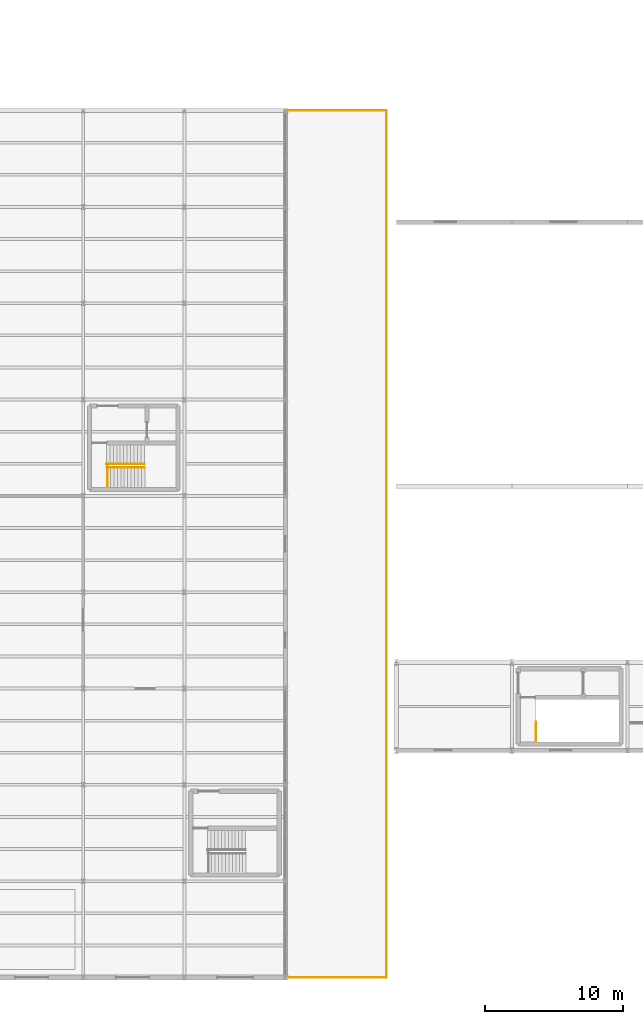
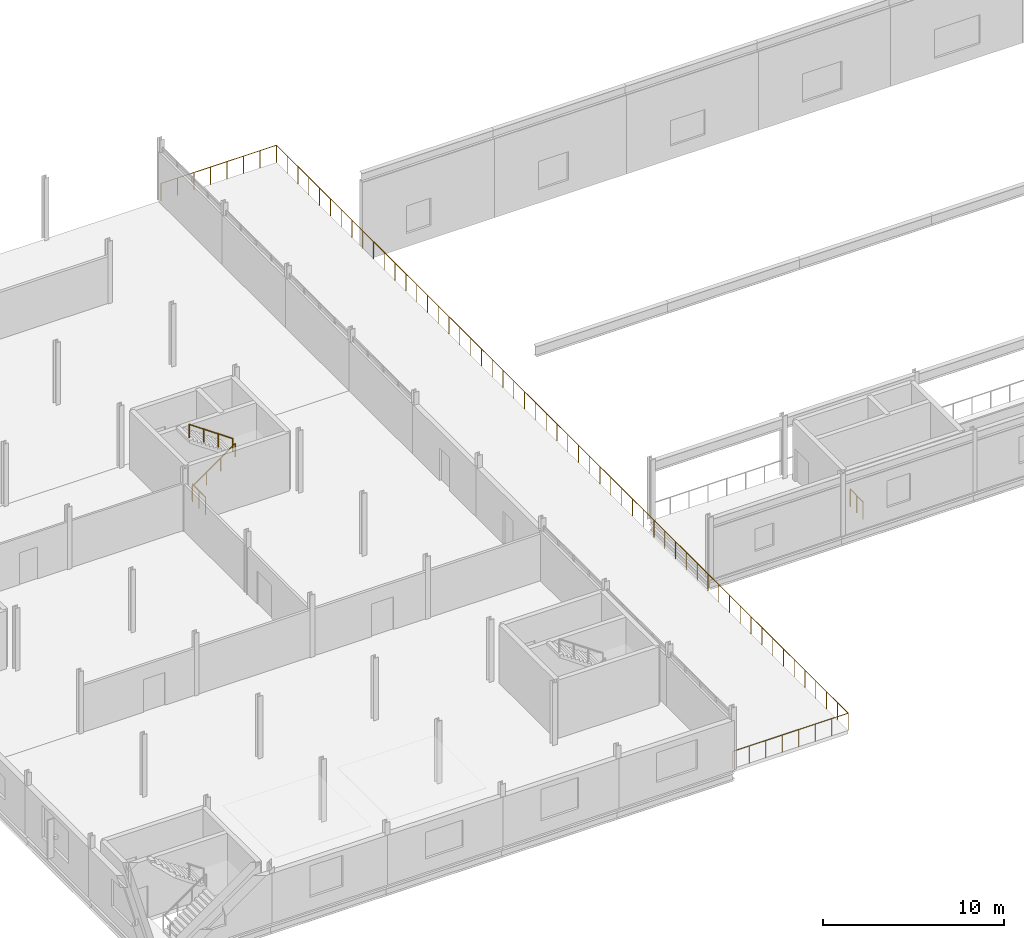
# One storey, part 37 of 39: 5 railings.
"""IFC4 building model written with IfcOpenShell, lengths in metres."""

from ifc_helpers import new_model, si_unit, direction, frame, origin, origin_2d, place, context, subcontext, project, spatial, circle, extrude, material, type_object, element, save


model = new_model("IFC4")

# Units and contexts
model_context = context("Model", 3, precision=1e-05, world=origin(), true_north=direction((0.0, 1.0)))
body_context = subcontext(model_context, "Body", "Model", "MODEL_VIEW")
ifc_project = project(units=[si_unit("LENGTHUNIT", "METRE"), si_unit("AREAUNIT", "SQUARE_METRE"), si_unit("VOLUMEUNIT", "CUBIC_METRE"), si_unit("PLANEANGLEUNIT", "RADIAN"), si_unit("MASSUNIT", "GRAM", prefix="KILO")], contexts=[model_context])

# Site, building, storey
site_placement = place(None, origin())
site = spatial("IfcSite", under=ifc_project, at=site_placement, CompositionType="ELEMENT")
building_placement = place(site_placement, origin())
building = spatial("IfcBuilding", under=site, at=building_placement, Name="Kazenagashi Tramway Depot", CompositionType="ELEMENT")
storey_placement = place(building_placement, frame((0.0, 0.0, 11.1)))
storey = spatial("IfcBuildingStorey", under=building, at=storey_placement, Name="L03", CompositionType="ELEMENT", Elevation=11.1)

# Railings
ifc_material_1 = material(Name="Galvanised Painted Steel Balustrade", Category="steel")
railing_type_1 = type_object("IfcRailingType", Name="GR-01", PredefinedType="GUARDRAIL", material=ifc_material_1)
railing_1_placement = place(storey_placement, frame((23.81, 35.67, 0.0)))
element("IfcRailing", 1, at=railing_1_placement, inside=storey, type_object=railing_type_1, Name="Stairwell ST-06 Arrival Guardrail", PredefinedType="GUARDRAIL", context=body_context, shape_type="SweptSolid", body=[
    extrude(circle(Radius=0.024, at=origin_2d()), frame((0.0, 0.0, 1.156), z_axis=(0.0, 1.0, 0.0), x_axis=(-1.0, 0.0, 0.0)), (0.0, 0.0, 1.0), 1.45),
    extrude(circle(Radius=0.021, at=origin_2d()), origin(), (0.0, 0.0, 1.0), 1.132),
    extrude(circle(Radius=0.021, at=origin_2d()), frame((0.0, 0.725, 0.0)), (0.0, 0.0, 1.0), 1.132),
    extrude(circle(Radius=0.021, at=origin_2d()), frame((0.0, 1.45, 0.0)), (0.0, 0.0, 1.0), 1.132),
])
railing_2_placement = place(storey_placement, frame((54.96, 17.17, 0.0)))
element("IfcRailing", 2, at=railing_2_placement, inside=storey, type_object=railing_type_1, Name="Stairwell ST-18 Arrival Guardrail", PredefinedType="GUARDRAIL", context=body_context, shape_type="SweptSolid", body=[
    extrude(circle(Radius=0.024, at=origin_2d()), frame((0.0, 0.0, 1.156), z_axis=(0.0, 1.0, 0.0), x_axis=(-1.0, 0.0, 0.0)), (0.0, 0.0, 1.0), 1.4),
    extrude(circle(Radius=0.021, at=origin_2d()), origin(), (0.0, 0.0, 1.0), 1.132),
    extrude(circle(Radius=0.021, at=origin_2d()), frame((0.0, 0.7, 0.0)), (0.0, 0.0, 1.0), 1.132),
    extrude(circle(Radius=0.021, at=origin_2d()), frame((0.0, 1.4, 0.0)), (0.0, 0.0, 1.0), 1.132),
])
ifc_material_2 = material(Name="Weathering Steel SMA490W Balustrade", Category="steel")
railing_type_2 = type_object("IfcRailingType", Name="GR-02", PredefinedType="GUARDRAIL", material=ifc_material_2)
railing_3_placement = place(storey_placement, frame((36.75, 0.0, 0.0)))
element("IfcRailing", 3, at=railing_3_placement, inside=storey, type_object=railing_type_2, Name="Terrace Perimeter Guardrail GR-02 2", PredefinedType="GUARDRAIL", context=body_context, shape_type="SweptSolid", body=[
    extrude(circle(Radius=0.024, at=origin_2d()), frame((0.0, 0.0, 1.156), z_axis=(1.0, 0.0, 0.0), x_axis=(0.0, 1.0, 0.0)), (0.0, 0.0, 1.0), 7.35),
    extrude(circle(Radius=0.024, at=origin_2d()), frame((7.35, 0.0, 1.156), z_axis=(0.0, 1.0, 0.0), x_axis=(-1.0, 0.0, 0.0)), (0.0, 0.0, 1.0), 63.0),
    extrude(circle(Radius=0.024, at=origin_2d()), frame((7.35, 63.0, 1.156), z_axis=(-1.0, 0.0, 0.0), x_axis=(0.0, -1.0, 0.0)), (0.0, 0.0, 1.0), 7.35),
    extrude(circle(Radius=0.021, at=origin_2d()), origin(), (0.0, 0.0, 1.0), 1.132),
    extrude(circle(Radius=0.021, at=origin_2d()), frame((1.05, 0.0, 0.0)), (0.0, 0.0, 1.0), 1.132),
    extrude(circle(Radius=0.021, at=origin_2d()), frame((2.1, 0.0, 0.0)), (0.0, 0.0, 1.0), 1.132),
    extrude(circle(Radius=0.021, at=origin_2d()), frame((3.15, 0.0, 0.0)), (0.0, 0.0, 1.0), 1.132),
    extrude(circle(Radius=0.021, at=origin_2d()), frame((4.2, 0.0, 0.0)), (0.0, 0.0, 1.0), 1.132),
    extrude(circle(Radius=0.021, at=origin_2d()), frame((5.25, 0.0, 0.0)), (0.0, 0.0, 1.0), 1.132),
    extrude(circle(Radius=0.021, at=origin_2d()), frame((6.3, 0.0, 0.0)), (0.0, 0.0, 1.0), 1.132),
    extrude(circle(Radius=0.021, at=origin_2d()), frame((7.35, 0.0, 0.0)), (0.0, 0.0, 1.0), 1.132),
    extrude(circle(Radius=0.021, at=origin_2d()), frame((7.35, 1.188679, 0.0)), (0.0, 0.0, 1.0), 1.132),
    extrude(circle(Radius=0.021, at=origin_2d()), frame((7.35, 2.377358, 0.0)), (0.0, 0.0, 1.0), 1.132),
    extrude(circle(Radius=0.021, at=origin_2d()), frame((7.35, 3.566038, 0.0)), (0.0, 0.0, 1.0), 1.132),
    extrude(circle(Radius=0.021, at=origin_2d()), frame((7.35, 4.754717, 0.0)), (0.0, 0.0, 1.0), 1.132),
    extrude(circle(Radius=0.021, at=origin_2d()), frame((7.35, 5.943396, 0.0)), (0.0, 0.0, 1.0), 1.132),
    extrude(circle(Radius=0.021, at=origin_2d()), frame((7.35, 7.132075, 0.0)), (0.0, 0.0, 1.0), 1.132),
    extrude(circle(Radius=0.021, at=origin_2d()), frame((7.35, 8.320755, 0.0)), (0.0, 0.0, 1.0), 1.132),
    extrude(circle(Radius=0.021, at=origin_2d()), frame((7.35, 9.509434, 0.0)), (0.0, 0.0, 1.0), 1.132),
    extrude(circle(Radius=0.021, at=origin_2d()), frame((7.35, 10.698113, 0.0)), (0.0, 0.0, 1.0), 1.132),
    extrude(circle(Radius=0.021, at=origin_2d()), frame((7.35, 11.886792, 0.0)), (0.0, 0.0, 1.0), 1.132),
    extrude(circle(Radius=0.021, at=origin_2d()), frame((7.35, 13.075472, 0.0)), (0.0, 0.0, 1.0), 1.132),
    extrude(circle(Radius=0.021, at=origin_2d()), frame((7.35, 14.264151, 0.0)), (0.0, 0.0, 1.0), 1.132),
    extrude(circle(Radius=0.021, at=origin_2d()), frame((7.35, 15.45283, 0.0)), (0.0, 0.0, 1.0), 1.132),
    extrude(circle(Radius=0.021, at=origin_2d()), frame((7.35, 16.641509, 0.0)), (0.0, 0.0, 1.0), 1.132),
    extrude(circle(Radius=0.021, at=origin_2d()), frame((7.35, 17.830189, 0.0)), (0.0, 0.0, 1.0), 1.132),
    extrude(circle(Radius=0.021, at=origin_2d()), frame((7.35, 19.018868, 0.0)), (0.0, 0.0, 1.0), 1.132),
    extrude(circle(Radius=0.021, at=origin_2d()), frame((7.35, 20.207547, 0.0)), (0.0, 0.0, 1.0), 1.132),
    extrude(circle(Radius=0.021, at=origin_2d()), frame((7.35, 21.396226, 0.0)), (0.0, 0.0, 1.0), 1.132),
    extrude(circle(Radius=0.021, at=origin_2d()), frame((7.35, 22.584906, 0.0)), (0.0, 0.0, 1.0), 1.132),
    extrude(circle(Radius=0.021, at=origin_2d()), frame((7.35, 23.773585, 0.0)), (0.0, 0.0, 1.0), 1.132),
    extrude(circle(Radius=0.021, at=origin_2d()), frame((7.35, 24.962264, 0.0)), (0.0, 0.0, 1.0), 1.132),
    extrude(circle(Radius=0.021, at=origin_2d()), frame((7.35, 26.150943, 0.0)), (0.0, 0.0, 1.0), 1.132),
    extrude(circle(Radius=0.021, at=origin_2d()), frame((7.35, 27.339623, 0.0)), (0.0, 0.0, 1.0), 1.132),
    extrude(circle(Radius=0.021, at=origin_2d()), frame((7.35, 28.528302, 0.0)), (0.0, 0.0, 1.0), 1.132),
    extrude(circle(Radius=0.021, at=origin_2d()), frame((7.35, 29.716981, 0.0)), (0.0, 0.0, 1.0), 1.132),
    extrude(circle(Radius=0.021, at=origin_2d()), frame((7.35, 30.90566, 0.0)), (0.0, 0.0, 1.0), 1.132),
    extrude(circle(Radius=0.021, at=origin_2d()), frame((7.35, 32.09434, 0.0)), (0.0, 0.0, 1.0), 1.132),
    extrude(circle(Radius=0.021, at=origin_2d()), frame((7.35, 33.283019, 0.0)), (0.0, 0.0, 1.0), 1.132),
    extrude(circle(Radius=0.021, at=origin_2d()), frame((7.35, 34.471698, 0.0)), (0.0, 0.0, 1.0), 1.132),
    extrude(circle(Radius=0.021, at=origin_2d()), frame((7.35, 35.660377, 0.0)), (0.0, 0.0, 1.0), 1.132),
    extrude(circle(Radius=0.021, at=origin_2d()), frame((7.35, 36.849057, 0.0)), (0.0, 0.0, 1.0), 1.132),
    extrude(circle(Radius=0.021, at=origin_2d()), frame((7.35, 38.037736, 0.0)), (0.0, 0.0, 1.0), 1.132),
    extrude(circle(Radius=0.021, at=origin_2d()), frame((7.35, 39.226415, 0.0)), (0.0, 0.0, 1.0), 1.132),
    extrude(circle(Radius=0.021, at=origin_2d()), frame((7.35, 40.415094, 0.0)), (0.0, 0.0, 1.0), 1.132),
    extrude(circle(Radius=0.021, at=origin_2d()), frame((7.35, 41.603774, 0.0)), (0.0, 0.0, 1.0), 1.132),
    extrude(circle(Radius=0.021, at=origin_2d()), frame((7.35, 42.792453, 0.0)), (0.0, 0.0, 1.0), 1.132),
    extrude(circle(Radius=0.021, at=origin_2d()), frame((7.35, 43.981132, 0.0)), (0.0, 0.0, 1.0), 1.132),
    extrude(circle(Radius=0.021, at=origin_2d()), frame((7.35, 45.169811, 0.0)), (0.0, 0.0, 1.0), 1.132),
    extrude(circle(Radius=0.021, at=origin_2d()), frame((7.35, 46.358491, 0.0)), (0.0, 0.0, 1.0), 1.132),
    extrude(circle(Radius=0.021, at=origin_2d()), frame((7.35, 47.54717, 0.0)), (0.0, 0.0, 1.0), 1.132),
    extrude(circle(Radius=0.021, at=origin_2d()), frame((7.35, 48.735849, 0.0)), (0.0, 0.0, 1.0), 1.132),
    extrude(circle(Radius=0.021, at=origin_2d()), frame((7.35, 49.924528, 0.0)), (0.0, 0.0, 1.0), 1.132),
    extrude(circle(Radius=0.021, at=origin_2d()), frame((7.35, 51.113208, 0.0)), (0.0, 0.0, 1.0), 1.132),
    extrude(circle(Radius=0.021, at=origin_2d()), frame((7.35, 52.301887, 0.0)), (0.0, 0.0, 1.0), 1.132),
    extrude(circle(Radius=0.021, at=origin_2d()), frame((7.35, 53.490566, 0.0)), (0.0, 0.0, 1.0), 1.132),
    extrude(circle(Radius=0.021, at=origin_2d()), frame((7.35, 54.679245, 0.0)), (0.0, 0.0, 1.0), 1.132),
    extrude(circle(Radius=0.021, at=origin_2d()), frame((7.35, 55.867925, 0.0)), (0.0, 0.0, 1.0), 1.132),
    extrude(circle(Radius=0.021, at=origin_2d()), frame((7.35, 57.056604, 0.0)), (0.0, 0.0, 1.0), 1.132),
    extrude(circle(Radius=0.021, at=origin_2d()), frame((7.35, 58.245283, 0.0)), (0.0, 0.0, 1.0), 1.132),
    extrude(circle(Radius=0.021, at=origin_2d()), frame((7.35, 59.433962, 0.0)), (0.0, 0.0, 1.0), 1.132),
    extrude(circle(Radius=0.021, at=origin_2d()), frame((7.35, 60.622642, 0.0)), (0.0, 0.0, 1.0), 1.132),
    extrude(circle(Radius=0.021, at=origin_2d()), frame((7.35, 61.811321, 0.0)), (0.0, 0.0, 1.0), 1.132),
    extrude(circle(Radius=0.021, at=origin_2d()), frame((7.35, 63.0, 0.0)), (0.0, 0.0, 1.0), 1.132),
    extrude(circle(Radius=0.021, at=origin_2d()), frame((6.3, 63.0, 0.0)), (0.0, 0.0, 1.0), 1.132),
    extrude(circle(Radius=0.021, at=origin_2d()), frame((5.25, 63.0, 0.0)), (0.0, 0.0, 1.0), 1.132),
    extrude(circle(Radius=0.021, at=origin_2d()), frame((4.2, 63.0, 0.0)), (0.0, 0.0, 1.0), 1.132),
    extrude(circle(Radius=0.021, at=origin_2d()), frame((3.15, 63.0, 0.0)), (0.0, 0.0, 1.0), 1.132),
    extrude(circle(Radius=0.021, at=origin_2d()), frame((2.1, 63.0, 0.0)), (0.0, 0.0, 1.0), 1.132),
    extrude(circle(Radius=0.021, at=origin_2d()), frame((1.05, 63.0, 0.0)), (0.0, 0.0, 1.0), 1.132),
    extrude(circle(Radius=0.021, at=origin_2d()), frame((0.0, 63.0, 0.0)), (0.0, 0.0, 1.0), 1.132),
])
ifc_material_3 = material(Name="Brushed Stainless Steel Handrail", Category="steel")
railing_type_3 = type_object("IfcRailingType", Name="HR-01", PredefinedType="HANDRAIL", material=ifc_material_3)
railing_4_placement = place(storey_placement, frame((23.77, 37.07, 0.175)))
element("IfcRailing", 4, at=railing_4_placement, inside=storey, type_object=railing_type_3, Name="Stair ST-07 Lower Handrail", PredefinedType="HANDRAIL", context=body_context, shape_type="SweptSolid", body=[
    extrude(circle(Radius=0.024, at=origin_2d()), frame((0.0, 0.0, 0.876), z_axis=(0.817456817738, 0.0, 0.575989888048), x_axis=(0.0, 1.0, 0.0)), (0.0, 0.0, 1.0), 3.342073),
    extrude(circle(Radius=0.021, at=origin_2d()), origin(), (0.0, 0.0, 1.0), 0.852),
    extrude(circle(Radius=0.021, at=origin_2d()), frame((0.910667, 0.0, 0.641667)), (0.0, 0.0, 1.0), 0.852),
    extrude(circle(Radius=0.021, at=origin_2d()), frame((1.821333, 0.0, 1.283333)), (0.0, 0.0, 1.0), 0.852),
    extrude(circle(Radius=0.021, at=origin_2d()), frame((2.732, 0.0, 1.925)), (0.0, 0.0, 1.0), 0.852),
])
railing_5_placement = place(storey_placement, frame((26.502, 37.33, 2.275)))
element("IfcRailing", 5, at=railing_5_placement, inside=storey, type_object=railing_type_3, Name="Stair ST-07 Upper Handrail", PredefinedType="HANDRAIL", context=body_context, shape_type="SweptSolid", body=[
    extrude(circle(Radius=0.024, at=origin_2d()), frame((0.0, 0.0, 0.876), z_axis=(-0.821369965673, 0.0, 0.570395809495), x_axis=(0.0, -1.0, 0.0)), (0.0, 0.0, 1.0), 3.374849),
    extrude(circle(Radius=0.021, at=origin_2d()), origin(), (0.0, 0.0, 1.0), 0.852),
    extrude(circle(Radius=0.021, at=origin_2d()), frame((-0.924, 0.0, 0.641667)), (0.0, 0.0, 1.0), 0.852),
    extrude(circle(Radius=0.021, at=origin_2d()), frame((-1.848, 0.0, 1.283333)), (0.0, 0.0, 1.0), 0.852),
    extrude(circle(Radius=0.021, at=origin_2d()), frame((-2.772, 0.0, 1.925)), (0.0, 0.0, 1.0), 0.852),
])

save(model, "model.ifc")
